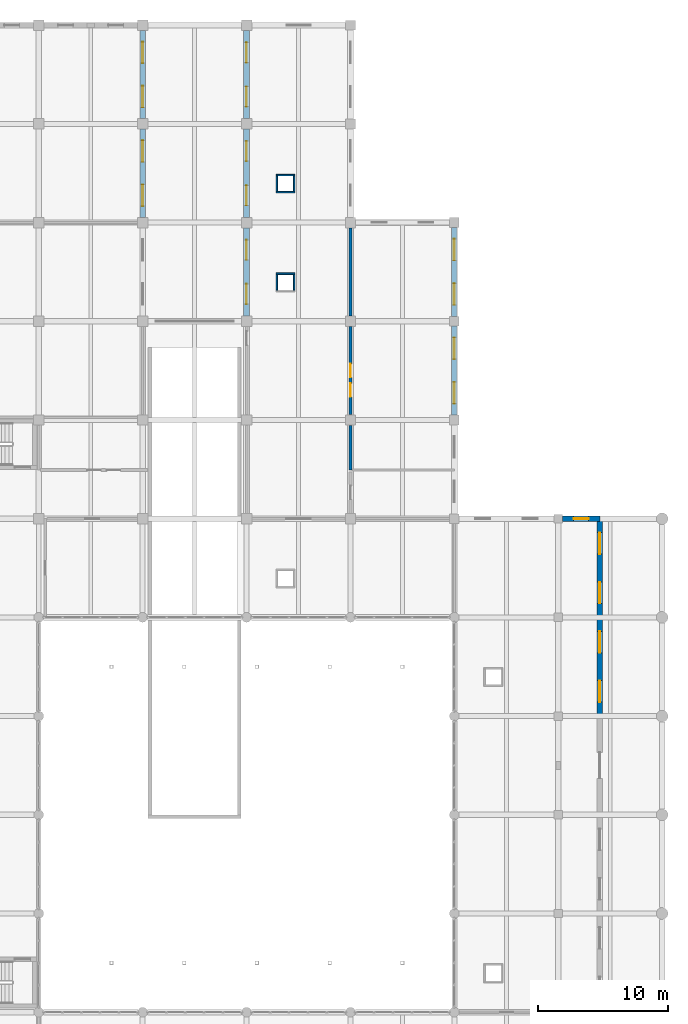
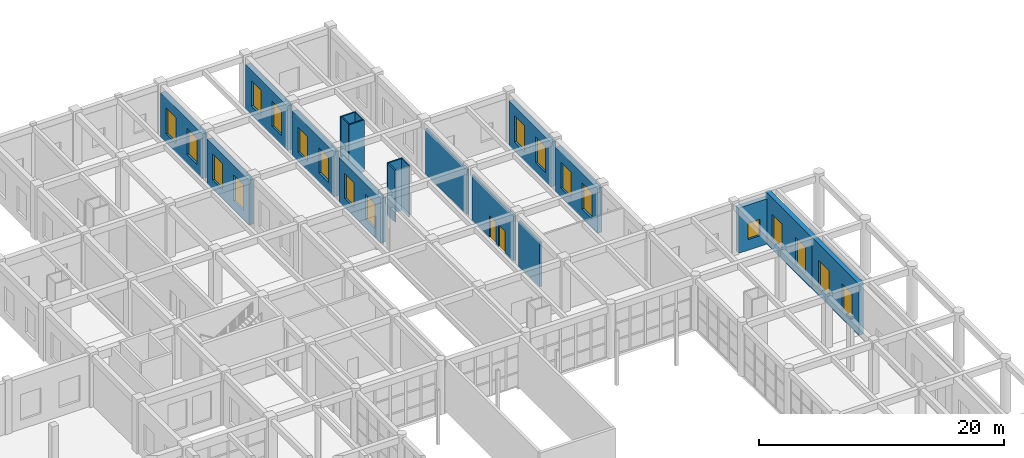
# One storey, part 83 of 95: 20 walls, 19 windows, 2 doors, 21 openings.
"""IFC4 building model written with IfcOpenShell, lengths in metres."""

from ifc_helpers import new_model, si_unit, direction, frame, frame_2d, origin, place, context, subcontext, project, spatial, rectangle, extrude, material, layer, layer_set, type_object, element, fill, save


model = new_model("IFC4")

# Units and contexts
model_context = context("Model", 3, precision=1e-05, world=origin(), true_north=direction((0.0, 1.0)))
body_context = subcontext(model_context, "Body", "Model", "MODEL_VIEW")
ifc_project = project(units=[si_unit("LENGTHUNIT", "METRE"), si_unit("AREAUNIT", "SQUARE_METRE"), si_unit("VOLUMEUNIT", "CUBIC_METRE"), si_unit("PLANEANGLEUNIT", "RADIAN"), si_unit("MASSUNIT", "GRAM", prefix="KILO")], contexts=[model_context])

# Site, building, storey
site_placement = place(None, origin())
site = spatial("IfcSite", under=ifc_project, at=site_placement, CompositionType="ELEMENT")
building_placement = place(site_placement, origin())
building = spatial("IfcBuilding", under=site, at=building_placement, Name="Zantavel Square City Hall", CompositionType="ELEMENT")
storey_placement = place(building_placement, origin())
storey = spatial("IfcBuildingStorey", under=building, at=storey_placement, Name="L01", CompositionType="ELEMENT", Elevation=0.0)

# Wall
ifc_material_1 = material(Name="Cantera volcanic tuff stone", Category="masonry")
ifc_layer_1 = layer(ifc_material_1, 0.199951171875, Name="Cantera volcanic tuff stone")
ifc_layer_set_1 = layer_set([ifc_layer_1], Name="Cantera volcanic tuff stone")
wall_type_1 = type_object("IfcWallType", Name="Exit Corridor Rated Wall 200mm", PredefinedType="STANDARD", material=ifc_layer_set_1)
wall_1_placement = place(storey_placement, frame((144.0, 98.389892578125, 0.0), z_axis=(0.0, 0.0, 1.0), x_axis=(0.0, -1.0, 0.0)))
element("IfcWall", 1, at=wall_1_placement, inside=storey, type_object=wall_type_1, Name="L01 Interior Wall IW-L01-0080", PredefinedType="STANDARD", context=body_context, shape_type="SweptSolid", body=[
    extrude(rectangle(XDim=6.77978515625, YDim=0.199951171875, at=frame_2d((3.389892578125, 0.0))), origin(), (0.0, 0.0, 1.0), 4.4599609375),
])

# Wall, openings, doors
wall_2_placement = place(storey_placement, frame((144.0, 90.7900390625, 0.0), z_axis=(0.0, 0.0, 1.0), x_axis=(0.0, -1.0, 0.0)))
wall_2 = element("IfcWall", 2, at=wall_2_placement, inside=storey, type_object=wall_type_1, Name="L01 Interior Wall IW-L01-0081", PredefinedType="STANDARD", context=body_context, shape_type="SweptSolid", body=[
    extrude(rectangle(XDim=6.780029296875, YDim=0.199951171875, at=frame_2d((3.39013671875, 0.0))), origin(), (0.0, 0.0, 1.0), 4.4599609375),
])
opening_1_placement = place(wall_2_placement, frame((2.864990234375, 0.0, 0.0)))
opening_1 = element("IfcOpeningElement", 3, at=opening_1_placement, cuts=wall_2, Name="Opening D-0036", PredefinedType="OPENING", context=body_context, shape_type="SweptSolid", body=[
    extrude(rectangle(XDim=1.050048828125, YDim=2.14990234375, at=frame_2d((0.52490234375, 1.074951171875))), frame((0.0, 0.10986328125, 0.0), z_axis=(0.0, -1.0, 0.0), x_axis=(1.0, 0.0, 0.0)), (0.0, 0.0, 1.0), 0.219970703125),
])
opening_2_placement = place(wall_2_placement, frame((4.364990234375, 0.0, 0.0)))
opening_2 = element("IfcOpeningElement", 4, at=opening_2_placement, cuts=wall_2, Name="Opening D-0065", PredefinedType="OPENING", context=body_context, shape_type="SweptSolid", body=[
    extrude(rectangle(XDim=1.050048828125, YDim=2.14990234375, at=frame_2d((0.52490234375, 1.074951171875))), frame((0.0, 0.10986328125, 0.0), z_axis=(0.0, -1.0, 0.0), x_axis=(1.0, 0.0, 0.0)), (0.0, 0.0, 1.0), 0.219970703125),
])
ifc_material_2 = material(Name="Solid oak hardwood", Category="wood")
door_type = type_object("IfcDoorType", Name="Corridor Office Oak Fire Door 1050x2150 FD60S", OperationType="NOTDEFINED", PredefinedType="DOOR", material=ifc_material_2)
door_1_placement = place(opening_1_placement, origin())
door_1 = element("IfcDoor", 5, at=door_1_placement, inside=storey, type_object=door_type, Name="L01 Cadastral Public Consultation Office Door", OperationType="SINGLE_SWING_RIGHT", OverallHeight=2.14990234375, OverallWidth=1.050048828125, PredefinedType="DOOR", context=body_context, shape_type="SweptSolid", body=[
    extrude(rectangle(XDim=1.050048828125, YDim=2.14990234375, at=frame_2d((0.52490234375, 1.074951171875))), frame((0.0, 0.02490234375, 0.0), z_axis=(0.0, -1.0, 0.0), x_axis=(1.0, 0.0, 0.0)), (0.0, 0.0, 1.0), 0.050048828125),
])
fill(opening_1, door_1)
door_2_placement = place(opening_2_placement, origin())
door_2 = element("IfcDoor", 6, at=door_2_placement, inside=storey, type_object=door_type, Name="L01 Cadastral Public Consultation Office Door", OperationType="SINGLE_SWING_LEFT", OverallHeight=2.14990234375, OverallWidth=1.050048828125, PredefinedType="DOOR", context=body_context, shape_type="SweptSolid", body=[
    extrude(rectangle(XDim=1.050048828125, YDim=2.14990234375, at=frame_2d((0.52490234375, 1.074951171875))), frame((0.0, 0.02490234375, 0.0), z_axis=(0.0, -1.0, 0.0), x_axis=(1.0, 0.0, 0.0)), (0.0, 0.0, 1.0), 0.050048828125),
])
fill(opening_2, door_2)

# Walls
wall_3_placement = place(storey_placement, frame((144.0, 83.18994140625, 0.0), z_axis=(0.0, 0.0, 1.0), x_axis=(0.0, -1.0, 0.0)))
element("IfcWall", 7, at=wall_3_placement, inside=storey, type_object=wall_type_1, Name="L01 Interior Wall IW-L01-0082", PredefinedType="STANDARD", context=body_context, shape_type="SweptSolid", body=[
    extrude(rectangle(XDim=3.43994140625, YDim=0.199951171875, at=frame_2d((1.719970703125, 0.0))), origin(), (0.0, 0.0, 1.0), 4.4599609375),
])
ifc_material_3 = material(Name="Concrete C35/45", Category="concrete")
ifc_layer_2 = layer(ifc_material_3, 0.1201171875, Name="Concrete C35/45")
ifc_layer_set_2 = layer_set([ifc_layer_2], Name="Concrete C35/45")
wall_type_2 = type_object("IfcWallType", Name="Riser Chase Wall RC 120mm C35/45", PredefinedType="PARTITIONING", material=ifc_layer_set_2)
wall_4_placement = place(storey_placement, frame((138.340087890625, 93.60009765625, 0.0), z_axis=(0.0, 0.0, 1.0), x_axis=(0.0, 1.0, 0.0)))
element("IfcWall", 8, at=wall_4_placement, inside=storey, type_object=wall_type_2, Name="L01 MEP Riser 22 Wall W", PredefinedType="PARTITIONING", context=body_context, shape_type="SweptSolid", body=[
    extrude(rectangle(XDim=1.199951171875, YDim=0.1201171875, at=frame_2d((0.60009765625, 0.0))), origin(), (0.0, 0.0, 1.0), 5.159912109375),
])
wall_5_placement = place(storey_placement, frame((138.280029296875, 94.860107421875, 0.0), z_axis=(0.0, 0.0, 1.0), x_axis=(1.0, 0.0, 0.0)))
element("IfcWall", 9, at=wall_5_placement, inside=storey, type_object=wall_type_2, Name="L01 MEP Riser 22 Wall N", PredefinedType="PARTITIONING", context=body_context, shape_type="SweptSolid", body=[
    extrude(rectangle(XDim=1.43994140625, YDim=0.1201171875, at=frame_2d((0.719970703125, 0.0))), origin(), (0.0, 0.0, 1.0), 5.159912109375),
])
wall_6_placement = place(storey_placement, frame((139.659912109375, 94.800048828125, 0.0), z_axis=(0.0, 0.0, 1.0), x_axis=(0.0, -1.0, 0.0)))
element("IfcWall", 10, at=wall_6_placement, inside=storey, type_object=wall_type_2, Name="L01 MEP Riser 22 Wall E", PredefinedType="PARTITIONING", context=body_context, shape_type="SweptSolid", body=[
    extrude(rectangle(XDim=1.199951171875, YDim=0.1201171875, at=frame_2d((0.60009765625, 0.0))), origin(), (0.0, 0.0, 1.0), 5.159912109375),
])
wall_7_placement = place(storey_placement, frame((139.719970703125, 101.139892578125, 0.0), z_axis=(0.0, 0.0, 1.0), x_axis=(-1.0, 0.0, 0.0)))
element("IfcWall", 11, at=wall_7_placement, inside=storey, type_object=wall_type_2, Name="L01 MEP Riser 24 Wall S", PredefinedType="PARTITIONING", context=body_context, shape_type="SweptSolid", body=[
    extrude(rectangle(XDim=1.43994140625, YDim=0.1201171875, at=frame_2d((0.719970703125, 0.0))), origin(), (0.0, 0.0, 1.0), 5.159912109375),
])
wall_8_placement = place(storey_placement, frame((138.340087890625, 101.199951171875, 0.0), z_axis=(0.0, 0.0, 1.0), x_axis=(0.0, 1.0, 0.0)))
element("IfcWall", 12, at=wall_8_placement, inside=storey, type_object=wall_type_2, Name="L01 MEP Riser 24 Wall W", PredefinedType="PARTITIONING", context=body_context, shape_type="SweptSolid", body=[
    extrude(rectangle(XDim=1.199951171875, YDim=0.1201171875, at=frame_2d((0.60009765625, 0.0))), origin(), (0.0, 0.0, 1.0), 5.159912109375),
])
wall_9_placement = place(storey_placement, frame((138.280029296875, 102.4599609375, 0.0), z_axis=(0.0, 0.0, 1.0), x_axis=(1.0, 0.0, 0.0)))
element("IfcWall", 13, at=wall_9_placement, inside=storey, type_object=wall_type_2, Name="L01 MEP Riser 24 Wall N", PredefinedType="PARTITIONING", context=body_context, shape_type="SweptSolid", body=[
    extrude(rectangle(XDim=1.43994140625, YDim=0.1201171875, at=frame_2d((0.719970703125, 0.0))), origin(), (0.0, 0.0, 1.0), 5.159912109375),
])
wall_10_placement = place(storey_placement, frame((139.659912109375, 102.39990234375, 0.0), z_axis=(0.0, 0.0, 1.0), x_axis=(0.0, -1.0, 0.0)))
element("IfcWall", 14, at=wall_10_placement, inside=storey, type_object=wall_type_2, Name="L01 MEP Riser 24 Wall E", PredefinedType="PARTITIONING", context=body_context, shape_type="SweptSolid", body=[
    extrude(rectangle(XDim=1.199951171875, YDim=0.1201171875, at=frame_2d((0.60009765625, 0.0))), origin(), (0.0, 0.0, 1.0), 5.159912109375),
])

# Wall, openings, windows
ifc_material_4 = material(Name="Tezontle volcanic basaltic scoria stone", Category="masonry")
ifc_layer_3 = layer(ifc_material_4, 0.43994140625, Name="Tezontle volcanic basaltic scoria stone")
ifc_layer_set_3 = layer_set([ifc_layer_3], Name="Tezontle volcanic basaltic scoria stone")
wall_type_3 = type_object("IfcWallType", Name="Tezontle Rusticated Plinth Wall 440mm", PredefinedType="STANDARD", material=ifc_layer_set_3)
wall_11_placement = place(storey_placement, frame((128.0, 113.60009765625, 0.0), z_axis=(0.0, 0.0, 1.0), x_axis=(0.0, -1.0, 0.0)))
wall_11 = element("IfcWall", 15, at=wall_11_placement, inside=storey, type_object=wall_type_3, Name="L01 Exterior Wall EW-L01-038", PredefinedType="STANDARD", context=body_context, shape_type="SweptSolid", body=[
    extrude(rectangle(XDim=6.800048828125, YDim=0.43994140625, at=frame_2d((3.39990234375, 0.0))), origin(), (0.0, 0.0, 1.0), 4.4599609375),
])
opening_3_placement = place(wall_11_placement, frame((0.875, 0.0, 0.89990234375)))
opening_3 = element("IfcOpeningElement", 16, at=opening_3_placement, cuts=wall_11, Name="Opening W-054", PredefinedType="OPENING", context=body_context, shape_type="SweptSolid", body=[
    extrude(rectangle(XDim=1.64990234375, YDim=2.60009765625, at=frame_2d((0.824951171875, 1.300048828125))), frame((0.0, 0.22998046875, 0.0), z_axis=(0.0, -1.0, 0.0), x_axis=(1.0, 0.0, 0.0)), (0.0, 0.0, 1.0), 0.4599609375),
])
opening_4_placement = place(wall_11_placement, frame((4.27490234375, 0.0, 0.89990234375)))
opening_4 = element("IfcOpeningElement", 17, at=opening_4_placement, cuts=wall_11, Name="Opening W-055", PredefinedType="OPENING", context=body_context, shape_type="SweptSolid", body=[
    extrude(rectangle(XDim=1.64990234375, YDim=2.60009765625, at=frame_2d((0.824951171875, 1.300048828125))), frame((0.0, 0.22998046875, 0.0), z_axis=(0.0, -1.0, 0.0), x_axis=(1.0, 0.0, 0.0)), (0.0, 0.0, 1.0), 0.4599609375),
])
ifc_material_5 = material(Name="Tempered safety glass low-E double glazing", Category="glass")
window_type_1 = type_object("IfcWindowType", Name="Window Ground Civic Tall 1650x2600", PartitioningType="DOUBLE_PANEL_VERTICAL", PredefinedType="WINDOW", material=ifc_material_5)
window_1_placement = place(opening_3_placement, origin())
window_1 = element("IfcWindow", 18, at=window_1_placement, inside=storey, type_object=window_type_1, Name="L01 Window W-054", OverallHeight=2.60009765625, OverallWidth=1.64990234375, PartitioningType="DOUBLE_PANEL_VERTICAL", PredefinedType="WINDOW", context=body_context, shape_type="SweptSolid", body=[
    extrude(rectangle(XDim=1.64990234375, YDim=2.60009765625, at=frame_2d((0.824951171875, 1.300048828125))), frame((0.0, 0.030029296875, 0.0), z_axis=(0.0, -1.0, 0.0), x_axis=(1.0, 0.0, 0.0)), (0.0, 0.0, 1.0), 0.06005859375),
])
fill(opening_3, window_1)
window_2_placement = place(opening_4_placement, origin())
window_2 = element("IfcWindow", 19, at=window_2_placement, inside=storey, type_object=window_type_1, Name="L01 Window W-055", OverallHeight=2.60009765625, OverallWidth=1.64990234375, PartitioningType="DOUBLE_PANEL_VERTICAL", PredefinedType="WINDOW", context=body_context, shape_type="SweptSolid", body=[
    extrude(rectangle(XDim=1.64990234375, YDim=2.60009765625, at=frame_2d((0.824951171875, 1.300048828125))), frame((0.0, 0.030029296875, 0.0), z_axis=(0.0, -1.0, 0.0), x_axis=(1.0, 0.0, 0.0)), (0.0, 0.0, 1.0), 0.06005859375),
])
fill(opening_4, window_2)

wall_12_placement = place(storey_placement, frame((128.0, 106.0, 0.0), z_axis=(0.0, 0.0, 1.0), x_axis=(0.0, -1.0, 0.0)))
wall_12 = element("IfcWall", 20, at=wall_12_placement, inside=storey, type_object=wall_type_3, Name="L01 Exterior Wall EW-L01-039", PredefinedType="STANDARD", context=body_context, shape_type="SweptSolid", body=[
    extrude(rectangle(XDim=6.800048828125, YDim=0.43994140625, at=frame_2d((3.39990234375, 0.0))), origin(), (0.0, 0.0, 1.0), 4.4599609375),
])
opening_5_placement = place(wall_12_placement, frame((0.875, 0.0, 0.89990234375)))
opening_5 = element("IfcOpeningElement", 21, at=opening_5_placement, cuts=wall_12, Name="Opening W-056", PredefinedType="OPENING", context=body_context, shape_type="SweptSolid", body=[
    extrude(rectangle(XDim=1.64990234375, YDim=2.60009765625, at=frame_2d((0.824951171875, 1.300048828125))), frame((0.0, 0.22998046875, 0.0), z_axis=(0.0, -1.0, 0.0), x_axis=(1.0, 0.0, 0.0)), (0.0, 0.0, 1.0), 0.4599609375),
])
opening_6_placement = place(wall_12_placement, frame((4.27490234375, 0.0, 0.89990234375)))
opening_6 = element("IfcOpeningElement", 22, at=opening_6_placement, cuts=wall_12, Name="Opening W-057", PredefinedType="OPENING", context=body_context, shape_type="SweptSolid", body=[
    extrude(rectangle(XDim=1.64990234375, YDim=2.60009765625, at=frame_2d((0.824951171875, 1.300048828125))), frame((0.0, 0.22998046875, 0.0), z_axis=(0.0, -1.0, 0.0), x_axis=(1.0, 0.0, 0.0)), (0.0, 0.0, 1.0), 0.4599609375),
])
window_3_placement = place(opening_5_placement, origin())
window_3 = element("IfcWindow", 23, at=window_3_placement, inside=storey, type_object=window_type_1, Name="L01 Window W-056", OverallHeight=2.60009765625, OverallWidth=1.64990234375, PartitioningType="DOUBLE_PANEL_VERTICAL", PredefinedType="WINDOW", context=body_context, shape_type="SweptSolid", body=[
    extrude(rectangle(XDim=1.64990234375, YDim=2.60009765625, at=frame_2d((0.824951171875, 1.300048828125))), frame((0.0, 0.030029296875, 0.0), z_axis=(0.0, -1.0, 0.0), x_axis=(1.0, 0.0, 0.0)), (0.0, 0.0, 1.0), 0.06005859375),
])
fill(opening_5, window_3)
window_4_placement = place(opening_6_placement, origin())
window_4 = element("IfcWindow", 24, at=window_4_placement, inside=storey, type_object=window_type_1, Name="L01 Window W-057", OverallHeight=2.60009765625, OverallWidth=1.64990234375, PartitioningType="DOUBLE_PANEL_VERTICAL", PredefinedType="WINDOW", context=body_context, shape_type="SweptSolid", body=[
    extrude(rectangle(XDim=1.64990234375, YDim=2.60009765625, at=frame_2d((0.824951171875, 1.300048828125))), frame((0.0, 0.030029296875, 0.0), z_axis=(0.0, -1.0, 0.0), x_axis=(1.0, 0.0, 0.0)), (0.0, 0.0, 1.0), 0.06005859375),
])
fill(opening_6, window_4)

wall_13_placement = place(storey_placement, frame((136.0, 91.60009765625, 0.0), z_axis=(0.0, 0.0, 1.0), x_axis=(0.0, 1.0, 0.0)))
wall_13 = element("IfcWall", 25, at=wall_13_placement, inside=storey, type_object=wall_type_3, Name="L01 Exterior Wall EW-L01-042", PredefinedType="STANDARD", context=body_context, shape_type="SweptSolid", body=[
    extrude(rectangle(XDim=6.7998046875, YDim=0.43994140625, at=frame_2d((3.39990234375, 0.0))), origin(), (0.0, 0.0, 1.0), 4.4599609375),
])
opening_7_placement = place(wall_13_placement, frame((0.925048828125, 0.0, 0.89990234375)))
opening_7 = element("IfcOpeningElement", 26, at=opening_7_placement, cuts=wall_13, Name="Opening W-060", PredefinedType="OPENING", context=body_context, shape_type="SweptSolid", body=[
    extrude(rectangle(XDim=1.550048828125, YDim=2.5, at=frame_2d((0.77490234375, 1.25))), frame((0.0, 0.22998046875, 0.0), z_axis=(0.0, -1.0, 0.0), x_axis=(1.0, 0.0, 0.0)), (0.0, 0.0, 1.0), 0.4599609375),
])
opening_8_placement = place(wall_13_placement, frame((4.324951171875, 0.0, 0.89990234375)))
opening_8 = element("IfcOpeningElement", 27, at=opening_8_placement, cuts=wall_13, Name="Opening W-061", PredefinedType="OPENING", context=body_context, shape_type="SweptSolid", body=[
    extrude(rectangle(XDim=1.550048828125, YDim=2.5, at=frame_2d((0.77490234375, 1.25))), frame((0.0, 0.22998046875, 0.0), z_axis=(0.0, -1.0, 0.0), x_axis=(1.0, 0.0, 0.0)), (0.0, 0.0, 1.0), 0.4599609375),
])
window_type_2 = type_object("IfcWindowType", Name="Window Ground Annex 1550x2500", PartitioningType="DOUBLE_PANEL_VERTICAL", PredefinedType="WINDOW", material=ifc_material_5)
window_5_placement = place(opening_7_placement, origin())
window_5 = element("IfcWindow", 28, at=window_5_placement, inside=storey, type_object=window_type_2, Name="L01 Window W-060", OverallHeight=2.5, OverallWidth=1.550048828125, PartitioningType="DOUBLE_PANEL_VERTICAL", PredefinedType="WINDOW", context=body_context, shape_type="SweptSolid", body=[
    extrude(rectangle(XDim=1.550048828125, YDim=2.5, at=frame_2d((0.77490234375, 1.25))), frame((0.0, 0.030029296875, 0.0), z_axis=(0.0, -1.0, 0.0), x_axis=(1.0, 0.0, 0.0)), (0.0, 0.0, 1.0), 0.06005859375),
])
fill(opening_7, window_5)
window_6_placement = place(opening_8_placement, origin())
window_6 = element("IfcWindow", 29, at=window_6_placement, inside=storey, type_object=window_type_2, Name="L01 Window W-061", OverallHeight=2.5, OverallWidth=1.550048828125, PartitioningType="DOUBLE_PANEL_VERTICAL", PredefinedType="WINDOW", context=body_context, shape_type="SweptSolid", body=[
    extrude(rectangle(XDim=1.550048828125, YDim=2.5, at=frame_2d((0.77490234375, 1.25))), frame((0.0, 0.030029296875, 0.0), z_axis=(0.0, -1.0, 0.0), x_axis=(1.0, 0.0, 0.0)), (0.0, 0.0, 1.0), 0.06005859375),
])
fill(opening_8, window_6)

wall_14_placement = place(storey_placement, frame((136.0, 99.199951171875, 0.0), z_axis=(0.0, 0.0, 1.0), x_axis=(0.0, 1.0, 0.0)))
wall_14 = element("IfcWall", 30, at=wall_14_placement, inside=storey, type_object=wall_type_3, Name="L01 Exterior Wall EW-L01-043", PredefinedType="STANDARD", context=body_context, shape_type="SweptSolid", body=[
    extrude(rectangle(XDim=6.800048828125, YDim=0.43994140625, at=frame_2d((3.39990234375, 0.0))), origin(), (0.0, 0.0, 1.0), 4.4599609375),
])
opening_9_placement = place(wall_14_placement, frame((0.925048828125, 0.0, 0.89990234375)))
opening_9 = element("IfcOpeningElement", 31, at=opening_9_placement, cuts=wall_14, Name="Opening W-062", PredefinedType="OPENING", context=body_context, shape_type="SweptSolid", body=[
    extrude(rectangle(XDim=1.550048828125, YDim=2.5, at=frame_2d((0.77490234375, 1.25))), frame((0.0, 0.22998046875, 0.0), z_axis=(0.0, -1.0, 0.0), x_axis=(1.0, 0.0, 0.0)), (0.0, 0.0, 1.0), 0.4599609375),
])
opening_10_placement = place(wall_14_placement, frame((4.324951171875, 0.0, 0.89990234375)))
opening_10 = element("IfcOpeningElement", 32, at=opening_10_placement, cuts=wall_14, Name="Opening W-063", PredefinedType="OPENING", context=body_context, shape_type="SweptSolid", body=[
    extrude(rectangle(XDim=1.550048828125, YDim=2.5, at=frame_2d((0.77490234375, 1.25))), frame((0.0, 0.22998046875, 0.0), z_axis=(0.0, -1.0, 0.0), x_axis=(1.0, 0.0, 0.0)), (0.0, 0.0, 1.0), 0.4599609375),
])
window_7_placement = place(opening_9_placement, origin())
window_7 = element("IfcWindow", 33, at=window_7_placement, inside=storey, type_object=window_type_2, Name="L01 Window W-062", OverallHeight=2.5, OverallWidth=1.550048828125, PartitioningType="DOUBLE_PANEL_VERTICAL", PredefinedType="WINDOW", context=body_context, shape_type="SweptSolid", body=[
    extrude(rectangle(XDim=1.550048828125, YDim=2.5, at=frame_2d((0.77490234375, 1.25))), frame((0.0, 0.030029296875, 0.0), z_axis=(0.0, -1.0, 0.0), x_axis=(1.0, 0.0, 0.0)), (0.0, 0.0, 1.0), 0.06005859375),
])
fill(opening_9, window_7)
window_8_placement = place(opening_10_placement, origin())
window_8 = element("IfcWindow", 34, at=window_8_placement, inside=storey, type_object=window_type_2, Name="L01 Window W-063", OverallHeight=2.5, OverallWidth=1.550048828125, PartitioningType="DOUBLE_PANEL_VERTICAL", PredefinedType="WINDOW", context=body_context, shape_type="SweptSolid", body=[
    extrude(rectangle(XDim=1.550048828125, YDim=2.5, at=frame_2d((0.77490234375, 1.25))), frame((0.0, 0.030029296875, 0.0), z_axis=(0.0, -1.0, 0.0), x_axis=(1.0, 0.0, 0.0)), (0.0, 0.0, 1.0), 0.06005859375),
])
fill(opening_10, window_8)

wall_15_placement = place(storey_placement, frame((136.0, 106.800048828125, 0.0), z_axis=(0.0, 0.0, 1.0), x_axis=(0.0, 1.0, 0.0)))
wall_15 = element("IfcWall", 35, at=wall_15_placement, inside=storey, type_object=wall_type_3, Name="L01 Exterior Wall EW-L01-044", PredefinedType="STANDARD", context=body_context, shape_type="SweptSolid", body=[
    extrude(rectangle(XDim=6.800048828125, YDim=0.43994140625, at=frame_2d((3.39990234375, 0.0))), origin(), (0.0, 0.0, 1.0), 4.4599609375),
])
opening_11_placement = place(wall_15_placement, frame((0.925048828125, 0.0, 0.89990234375)))
opening_11 = element("IfcOpeningElement", 36, at=opening_11_placement, cuts=wall_15, Name="Opening W-064", PredefinedType="OPENING", context=body_context, shape_type="SweptSolid", body=[
    extrude(rectangle(XDim=1.550048828125, YDim=2.5, at=frame_2d((0.77490234375, 1.25))), frame((0.0, 0.22998046875, 0.0), z_axis=(0.0, -1.0, 0.0), x_axis=(1.0, 0.0, 0.0)), (0.0, 0.0, 1.0), 0.4599609375),
])
opening_12_placement = place(wall_15_placement, frame((4.324951171875, 0.0, 0.89990234375)))
opening_12 = element("IfcOpeningElement", 37, at=opening_12_placement, cuts=wall_15, Name="Opening W-065", PredefinedType="OPENING", context=body_context, shape_type="SweptSolid", body=[
    extrude(rectangle(XDim=1.550048828125, YDim=2.5, at=frame_2d((0.77490234375, 1.25))), frame((0.0, 0.22998046875, 0.0), z_axis=(0.0, -1.0, 0.0), x_axis=(1.0, 0.0, 0.0)), (0.0, 0.0, 1.0), 0.4599609375),
])
window_9_placement = place(opening_11_placement, origin())
window_9 = element("IfcWindow", 38, at=window_9_placement, inside=storey, type_object=window_type_2, Name="L01 Window W-064", OverallHeight=2.5, OverallWidth=1.550048828125, PartitioningType="DOUBLE_PANEL_VERTICAL", PredefinedType="WINDOW", context=body_context, shape_type="SweptSolid", body=[
    extrude(rectangle(XDim=1.550048828125, YDim=2.5, at=frame_2d((0.77490234375, 1.25))), frame((0.0, 0.030029296875, 0.0), z_axis=(0.0, -1.0, 0.0), x_axis=(1.0, 0.0, 0.0)), (0.0, 0.0, 1.0), 0.06005859375),
])
fill(opening_11, window_9)
window_10_placement = place(opening_12_placement, origin())
window_10 = element("IfcWindow", 39, at=window_10_placement, inside=storey, type_object=window_type_2, Name="L01 Window W-065", OverallHeight=2.5, OverallWidth=1.550048828125, PartitioningType="DOUBLE_PANEL_VERTICAL", PredefinedType="WINDOW", context=body_context, shape_type="SweptSolid", body=[
    extrude(rectangle(XDim=1.550048828125, YDim=2.5, at=frame_2d((0.77490234375, 1.25))), frame((0.0, 0.030029296875, 0.0), z_axis=(0.0, -1.0, 0.0), x_axis=(1.0, 0.0, 0.0)), (0.0, 0.0, 1.0), 0.06005859375),
])
fill(opening_12, window_10)

wall_16_placement = place(storey_placement, frame((152.0, 98.425048828125, 0.0), z_axis=(0.0, 0.0, 1.0), x_axis=(0.0, -1.0, 0.0)))
wall_16 = element("IfcWall", 40, at=wall_16_placement, inside=storey, type_object=wall_type_3, Name="L01 Exterior Wall EW-L01-049", PredefinedType="STANDARD", context=body_context, shape_type="SweptSolid", body=[
    extrude(rectangle(XDim=6.85009765625, YDim=0.43994140625, at=frame_2d((3.425048828125, 0.0))), origin(), (0.0, 0.0, 1.0), 4.4599609375),
])
opening_13_placement = place(wall_16_placement, frame((0.887451171875, 0.0, 0.89990234375)))
opening_13 = element("IfcOpeningElement", 41, at=opening_13_placement, cuts=wall_16, Name="Opening W-072", PredefinedType="OPENING", context=body_context, shape_type="SweptSolid", body=[
    extrude(rectangle(XDim=1.64990234375, YDim=2.60009765625, at=frame_2d((0.824951171875, 1.300048828125))), frame((0.0, 0.22998046875, 0.0), z_axis=(0.0, -1.0, 0.0), x_axis=(1.0, 0.0, 0.0)), (0.0, 0.0, 1.0), 0.4599609375),
])
opening_14_placement = place(wall_16_placement, frame((4.3125, 0.0, 0.89990234375)))
opening_14 = element("IfcOpeningElement", 42, at=opening_14_placement, cuts=wall_16, Name="Opening W-073", PredefinedType="OPENING", context=body_context, shape_type="SweptSolid", body=[
    extrude(rectangle(XDim=1.64990234375, YDim=2.60009765625, at=frame_2d((0.824951171875, 1.300048828125))), frame((0.0, 0.22998046875, 0.0), z_axis=(0.0, -1.0, 0.0), x_axis=(1.0, 0.0, 0.0)), (0.0, 0.0, 1.0), 0.4599609375),
])
window_11_placement = place(opening_13_placement, origin())
window_11 = element("IfcWindow", 43, at=window_11_placement, inside=storey, type_object=window_type_1, Name="L01 Window W-072", OverallHeight=2.60009765625, OverallWidth=1.64990234375, PartitioningType="DOUBLE_PANEL_VERTICAL", PredefinedType="WINDOW", context=body_context, shape_type="SweptSolid", body=[
    extrude(rectangle(XDim=1.64990234375, YDim=2.60009765625, at=frame_2d((0.824951171875, 1.300048828125))), frame((0.0, 0.030029296875, 0.0), z_axis=(0.0, -1.0, 0.0), x_axis=(1.0, 0.0, 0.0)), (0.0, 0.0, 1.0), 0.06005859375),
])
fill(opening_13, window_11)
window_12_placement = place(opening_14_placement, origin())
window_12 = element("IfcWindow", 44, at=window_12_placement, inside=storey, type_object=window_type_1, Name="L01 Window W-073", OverallHeight=2.60009765625, OverallWidth=1.64990234375, PartitioningType="DOUBLE_PANEL_VERTICAL", PredefinedType="WINDOW", context=body_context, shape_type="SweptSolid", body=[
    extrude(rectangle(XDim=1.64990234375, YDim=2.60009765625, at=frame_2d((0.824951171875, 1.300048828125))), frame((0.0, 0.030029296875, 0.0), z_axis=(0.0, -1.0, 0.0), x_axis=(1.0, 0.0, 0.0)), (0.0, 0.0, 1.0), 0.06005859375),
])
fill(opening_14, window_12)

wall_17_placement = place(storey_placement, frame((152.0, 90.824951171875, 0.0), z_axis=(0.0, 0.0, 1.0), x_axis=(0.0, -1.0, 0.0)))
wall_17 = element("IfcWall", 45, at=wall_17_placement, inside=storey, type_object=wall_type_3, Name="L01 Exterior Wall EW-L01-050", PredefinedType="STANDARD", context=body_context, shape_type="SweptSolid", body=[
    extrude(rectangle(XDim=6.849853515625, YDim=0.43994140625, at=frame_2d((3.4248046875, 0.0))), origin(), (0.0, 0.0, 1.0), 4.4599609375),
])
opening_15_placement = place(wall_17_placement, frame((0.887451171875, 0.0, 0.89990234375)))
opening_15 = element("IfcOpeningElement", 46, at=opening_15_placement, cuts=wall_17, Name="Opening W-074", PredefinedType="OPENING", context=body_context, shape_type="SweptSolid", body=[
    extrude(rectangle(XDim=1.64990234375, YDim=2.60009765625, at=frame_2d((0.824951171875, 1.300048828125))), frame((0.0, 0.22998046875, 0.0), z_axis=(0.0, -1.0, 0.0), x_axis=(1.0, 0.0, 0.0)), (0.0, 0.0, 1.0), 0.4599609375),
])
opening_16_placement = place(wall_17_placement, frame((4.3125, 0.0, 0.89990234375)))
opening_16 = element("IfcOpeningElement", 47, at=opening_16_placement, cuts=wall_17, Name="Opening W-075", PredefinedType="OPENING", context=body_context, shape_type="SweptSolid", body=[
    extrude(rectangle(XDim=1.64990234375, YDim=2.60009765625, at=frame_2d((0.824951171875, 1.300048828125))), frame((0.0, 0.22998046875, 0.0), z_axis=(0.0, -1.0, 0.0), x_axis=(1.0, 0.0, 0.0)), (0.0, 0.0, 1.0), 0.4599609375),
])
window_13_placement = place(opening_15_placement, origin())
window_13 = element("IfcWindow", 48, at=window_13_placement, inside=storey, type_object=window_type_1, Name="L01 Window W-074", OverallHeight=2.60009765625, OverallWidth=1.64990234375, PartitioningType="DOUBLE_PANEL_VERTICAL", PredefinedType="WINDOW", context=body_context, shape_type="SweptSolid", body=[
    extrude(rectangle(XDim=1.64990234375, YDim=2.60009765625, at=frame_2d((0.824951171875, 1.300048828125))), frame((0.0, 0.030029296875, 0.0), z_axis=(0.0, -1.0, 0.0), x_axis=(1.0, 0.0, 0.0)), (0.0, 0.0, 1.0), 0.06005859375),
])
fill(opening_15, window_13)
window_14_placement = place(opening_16_placement, origin())
window_14 = element("IfcWindow", 49, at=window_14_placement, inside=storey, type_object=window_type_1, Name="L01 Window W-075", OverallHeight=2.60009765625, OverallWidth=1.64990234375, PartitioningType="DOUBLE_PANEL_VERTICAL", PredefinedType="WINDOW", context=body_context, shape_type="SweptSolid", body=[
    extrude(rectangle(XDim=1.64990234375, YDim=2.60009765625, at=frame_2d((0.824951171875, 1.300048828125))), frame((0.0, 0.030029296875, 0.0), z_axis=(0.0, -1.0, 0.0), x_axis=(1.0, 0.0, 0.0)), (0.0, 0.0, 1.0), 0.06005859375),
])
fill(opening_16, window_14)

# Wall, opening, window
wall_18_placement = place(storey_placement, frame((160.324951171875, 76.0, 0.0), z_axis=(0.0, 0.0, 1.0), x_axis=(1.0, 0.0, 0.0)))
wall_18 = element("IfcWall", 50, at=wall_18_placement, inside=storey, type_object=wall_type_3, Name="L01 Exterior Wall EW-L01-053", PredefinedType="STANDARD", context=body_context, shape_type="SweptSolid", body=[
    extrude(rectangle(XDim=2.875, YDim=0.43994140625, at=frame_2d((1.4375, 0.0))), origin(), (0.0, 0.0, 1.0), 4.5),
])
opening_17_placement = place(wall_18_placement, frame((0.862548828125, 0.0, 1.050048828125)))
opening_17 = element("IfcOpeningElement", 51, at=opening_17_placement, cuts=wall_18, Name="Opening W-080", PredefinedType="OPENING", context=body_context, shape_type="SweptSolid", body=[
    extrude(rectangle(XDim=1.14990234375, YDim=1.64990234375, at=frame_2d((0.574951171875, 0.824951171875))), frame((0.0, 0.22998046875, 0.0), z_axis=(0.0, -1.0, 0.0), x_axis=(1.0, 0.0, 0.0)), (0.0, 0.0, 1.0), 0.4599609375),
])
window_type_3 = type_object("IfcWindowType", Name="Window Ground North Compact 1150x1650", PartitioningType="SINGLE_PANEL", PredefinedType="WINDOW", material=ifc_material_5)
window_15_placement = place(opening_17_placement, origin())
window_15 = element("IfcWindow", 52, at=window_15_placement, inside=storey, type_object=window_type_3, Name="L01 Window W-080", OverallHeight=1.64990234375, OverallWidth=1.14990234375, PartitioningType="SINGLE_PANEL", PredefinedType="WINDOW", context=body_context, shape_type="SweptSolid", body=[
    extrude(rectangle(XDim=1.14990234375, YDim=1.64990234375, at=frame_2d((0.574951171875, 0.824951171875))), frame((0.0, 0.030029296875, 0.0), z_axis=(0.0, -1.0, 0.0), x_axis=(1.0, 0.0, 0.0)), (0.0, 0.0, 1.0), 0.06005859375),
])
fill(opening_17, window_15)

# Wall, openings, windows
wall_19_placement = place(storey_placement, frame((163.199951171875, 76.0, 0.0), z_axis=(0.0, 0.0, 1.0), x_axis=(0.0, -1.0, 0.0)))
wall_19 = element("IfcWall", 53, at=wall_19_placement, inside=storey, type_object=wall_type_3, Name="L01 Exterior Wall EW-L01-054", PredefinedType="STANDARD", context=body_context, shape_type="SweptSolid", body=[
    extrude(rectangle(XDim=7.60009765625, YDim=0.43994140625, at=frame_2d((3.800048828125, 0.0))), origin(), (0.0, 0.0, 1.0), 5.1201171875),
])
opening_18_placement = place(wall_19_placement, frame((1.074951171875, 0.0, 0.89990234375)))
opening_18 = element("IfcOpeningElement", 54, at=opening_18_placement, cuts=wall_19, Name="Opening W-081", PredefinedType="OPENING", context=body_context, shape_type="SweptSolid", body=[
    extrude(rectangle(XDim=1.64990234375, YDim=2.60009765625, at=frame_2d((0.824951171875, 1.300048828125))), frame((0.0, 0.22998046875, 0.0), z_axis=(0.0, -1.0, 0.0), x_axis=(1.0, 0.0, 0.0)), (0.0, 0.0, 1.0), 0.4599609375),
])
opening_19_placement = place(wall_19_placement, frame((4.875, 0.0, 0.89990234375)))
opening_19 = element("IfcOpeningElement", 55, at=opening_19_placement, cuts=wall_19, Name="Opening W-082", PredefinedType="OPENING", context=body_context, shape_type="SweptSolid", body=[
    extrude(rectangle(XDim=1.64990234375, YDim=2.60009765625, at=frame_2d((0.824951171875, 1.300048828125))), frame((0.0, 0.22998046875, 0.0), z_axis=(0.0, -1.0, 0.0), x_axis=(1.0, 0.0, 0.0)), (0.0, 0.0, 1.0), 0.4599609375),
])
window_16_placement = place(opening_18_placement, origin())
window_16 = element("IfcWindow", 56, at=window_16_placement, inside=storey, type_object=window_type_1, Name="L01 Window W-081", OverallHeight=2.60009765625, OverallWidth=1.64990234375, PartitioningType="DOUBLE_PANEL_VERTICAL", PredefinedType="WINDOW", context=body_context, shape_type="SweptSolid", body=[
    extrude(rectangle(XDim=1.64990234375, YDim=2.60009765625, at=frame_2d((0.824951171875, 1.300048828125))), frame((0.0, 0.030029296875, 0.0), z_axis=(0.0, -1.0, 0.0), x_axis=(1.0, 0.0, 0.0)), (0.0, 0.0, 1.0), 0.06005859375),
])
fill(opening_18, window_16)
window_17_placement = place(opening_19_placement, origin())
window_17 = element("IfcWindow", 57, at=window_17_placement, inside=storey, type_object=window_type_1, Name="L01 Window W-082", OverallHeight=2.60009765625, OverallWidth=1.64990234375, PartitioningType="DOUBLE_PANEL_VERTICAL", PredefinedType="WINDOW", context=body_context, shape_type="SweptSolid", body=[
    extrude(rectangle(XDim=1.64990234375, YDim=2.60009765625, at=frame_2d((0.824951171875, 1.300048828125))), frame((0.0, 0.030029296875, 0.0), z_axis=(0.0, -1.0, 0.0), x_axis=(1.0, 0.0, 0.0)), (0.0, 0.0, 1.0), 0.06005859375),
])
fill(opening_19, window_17)

wall_20_placement = place(storey_placement, frame((163.199951171875, 68.39990234375, 0.0), z_axis=(0.0, 0.0, 1.0), x_axis=(0.0, -1.0, 0.0)))
wall_20 = element("IfcWall", 58, at=wall_20_placement, inside=storey, type_object=wall_type_3, Name="L01 Exterior Wall EW-L01-055", PredefinedType="STANDARD", context=body_context, shape_type="SweptSolid", body=[
    extrude(rectangle(XDim=7.599853515625, YDim=0.43994140625, at=frame_2d((3.7998046875, 0.0))), origin(), (0.0, 0.0, 1.0), 5.1201171875),
])
opening_20_placement = place(wall_20_placement, frame((1.074951171875, 0.0, 0.89990234375)))
opening_20 = element("IfcOpeningElement", 59, at=opening_20_placement, cuts=wall_20, Name="Opening W-083", PredefinedType="OPENING", context=body_context, shape_type="SweptSolid", body=[
    extrude(rectangle(XDim=1.64990234375, YDim=2.60009765625, at=frame_2d((0.824951171875, 1.300048828125))), frame((0.0, 0.22998046875, 0.0), z_axis=(0.0, -1.0, 0.0), x_axis=(1.0, 0.0, 0.0)), (0.0, 0.0, 1.0), 0.4599609375),
])
opening_21_placement = place(wall_20_placement, frame((4.875, 0.0, 0.89990234375)))
opening_21 = element("IfcOpeningElement", 60, at=opening_21_placement, cuts=wall_20, Name="Opening W-084", PredefinedType="OPENING", context=body_context, shape_type="SweptSolid", body=[
    extrude(rectangle(XDim=1.64990234375, YDim=2.60009765625, at=frame_2d((0.824951171875, 1.300048828125))), frame((0.0, 0.22998046875, 0.0), z_axis=(0.0, -1.0, 0.0), x_axis=(1.0, 0.0, 0.0)), (0.0, 0.0, 1.0), 0.4599609375),
])
window_18_placement = place(opening_20_placement, origin())
window_18 = element("IfcWindow", 61, at=window_18_placement, inside=storey, type_object=window_type_1, Name="L01 Window W-083", OverallHeight=2.60009765625, OverallWidth=1.64990234375, PartitioningType="DOUBLE_PANEL_VERTICAL", PredefinedType="WINDOW", context=body_context, shape_type="SweptSolid", body=[
    extrude(rectangle(XDim=1.64990234375, YDim=2.60009765625, at=frame_2d((0.824951171875, 1.300048828125))), frame((0.0, 0.030029296875, 0.0), z_axis=(0.0, -1.0, 0.0), x_axis=(1.0, 0.0, 0.0)), (0.0, 0.0, 1.0), 0.06005859375),
])
fill(opening_20, window_18)
window_19_placement = place(opening_21_placement, origin())
window_19 = element("IfcWindow", 62, at=window_19_placement, inside=storey, type_object=window_type_1, Name="L01 Window W-084", OverallHeight=2.60009765625, OverallWidth=1.64990234375, PartitioningType="DOUBLE_PANEL_VERTICAL", PredefinedType="WINDOW", context=body_context, shape_type="SweptSolid", body=[
    extrude(rectangle(XDim=1.64990234375, YDim=2.60009765625, at=frame_2d((0.824951171875, 1.300048828125))), frame((0.0, 0.030029296875, 0.0), z_axis=(0.0, -1.0, 0.0), x_axis=(1.0, 0.0, 0.0)), (0.0, 0.0, 1.0), 0.06005859375),
])
fill(opening_21, window_19)

save(model, "model.ifc")
